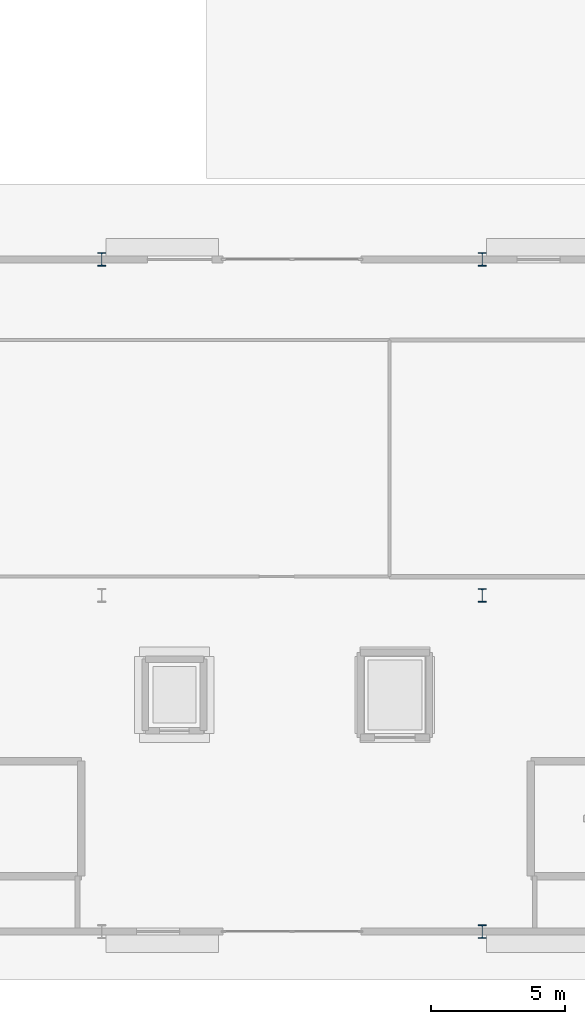
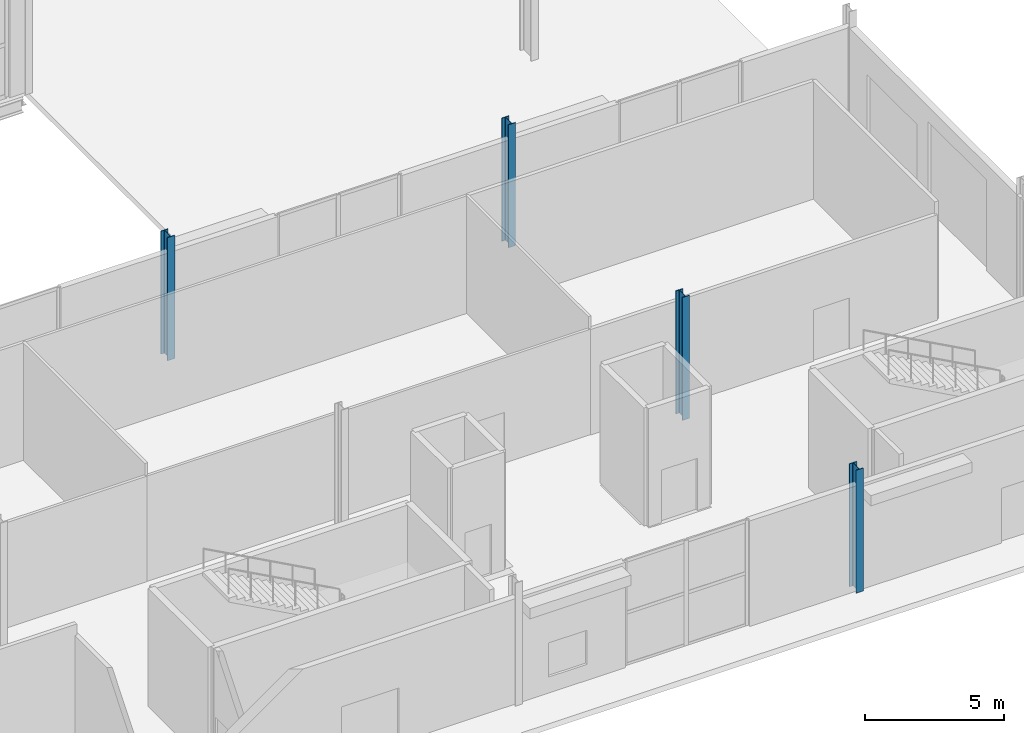
# One storey, part 13 of 87: 4 columns.
"""IFC4 building model written with IfcOpenShell, lengths in metres."""

from ifc_helpers import new_model, si_unit, direction, frame, origin, origin_2d, place, context, subcontext, project, spatial, i_section, extrude, material, material_profile, profile_set, type_object, element, save


model = new_model("IFC4")

# Units and contexts
model_context = context("Model", 3, precision=1e-05, world=origin(), true_north=direction((0.0, 1.0)))
body_context = subcontext(model_context, "Body", "Model", "MODEL_VIEW")
ifc_project = project(units=[si_unit("LENGTHUNIT", "METRE"), si_unit("AREAUNIT", "SQUARE_METRE"), si_unit("VOLUMEUNIT", "CUBIC_METRE"), si_unit("PLANEANGLEUNIT", "RADIAN"), si_unit("MASSUNIT", "GRAM", prefix="KILO")], contexts=[model_context])

# Site, building, storey
site_placement = place(None, origin())
site = spatial("IfcSite", under=ifc_project, at=site_placement, CompositionType="ELEMENT")
building_placement = place(site_placement, origin())
building = spatial("IfcBuilding", under=site, at=building_placement, Name="Kimbaza Rail Terminus", CompositionType="ELEMENT")
storey_placement = place(building_placement, origin())
storey = spatial("IfcBuildingStorey", under=building, at=storey_placement, Name="L00", CompositionType="ELEMENT", Elevation=0.0)

# Columns
ifc_material = material(Name="Steel S355", Category="steel")
ifc_material_profile = material_profile(ifc_material, i_section(OverallWidth=0.300048828125, OverallDepth=0.5, WebThickness=0.014404296875, FlangeThickness=0.028076171875, FilletRadius=0.027099609375, at=origin_2d()), Name="HEB 500")
ifc_profile_set = profile_set([ifc_material_profile], Name="Steel S355")
column_type = type_object("IfcColumnType", Name="STR-COL-HEB500", PredefinedType="COLUMN", material=ifc_profile_set)
for number, where, z_axis, x_axis, name in (
    (1, (185.699951171875, 38.0, 0.0), (0.0, 0.0, 1.0), (1.0, 0.0, 0.0), "Retail Pavilion Column L00 (2,2)"),
    (2, (199.85009765625, 13.0, 0.0), (0.0, 0.0, 1.0), (1.0, 0.0, 0.0), "Retail Pavilion Column L00 (3,0)"),
    (3, (199.85009765625, 25.5, 0.0), (0.0, 0.0, 1.0), (1.0, 0.0, 0.0), "Retail Pavilion Column L00 (3,1)"),
    (4, (199.85009765625, 38.0, 0.0), (0.0, 0.0, 1.0), (1.0, 0.0, 0.0), "Retail Pavilion Column L00 (3,2)"),
):
    element("IfcColumn", number, at=place(storey_placement, frame(where, z_axis=z_axis, x_axis=x_axis)), inside=storey, type_object=column_type, Name=name, PredefinedType="COLUMN", context=body_context, shape_type="SweptSolid", body=[
        extrude(i_section(OverallWidth=0.300048828125, OverallDepth=0.5, WebThickness=0.014404296875, FlangeThickness=0.028076171875, FilletRadius=0.027099609375, at=origin_2d()), origin(), (0.0, 0.0, 1.0), 5.39990234375),
    ])

save(model, "model.ifc")
